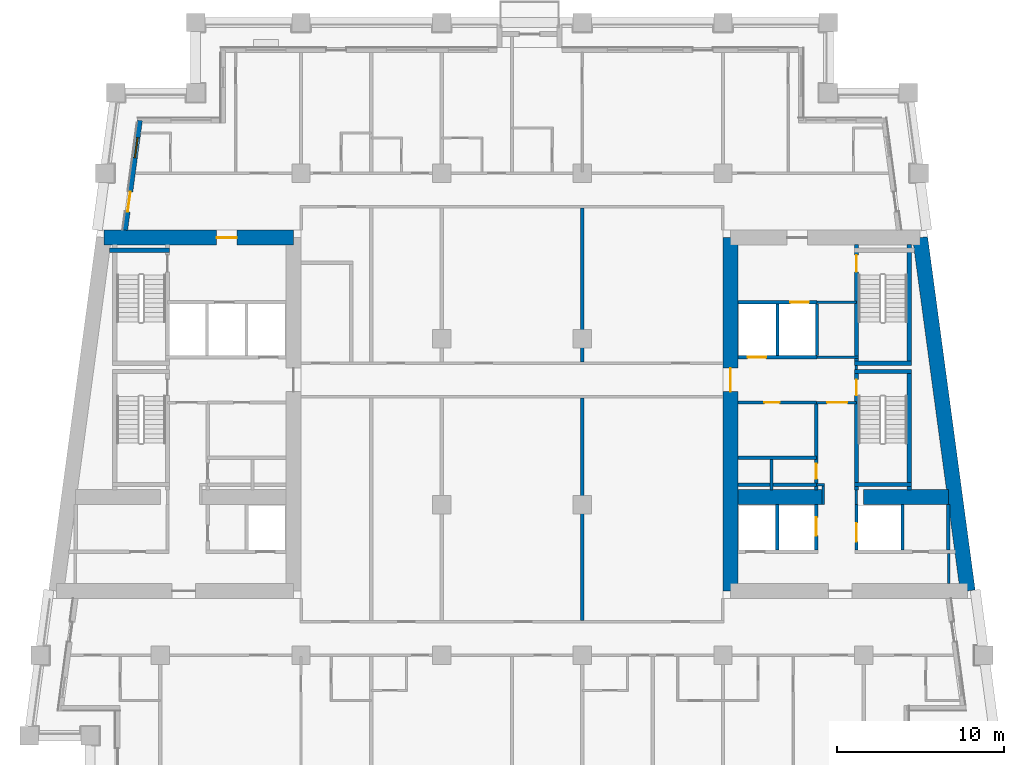
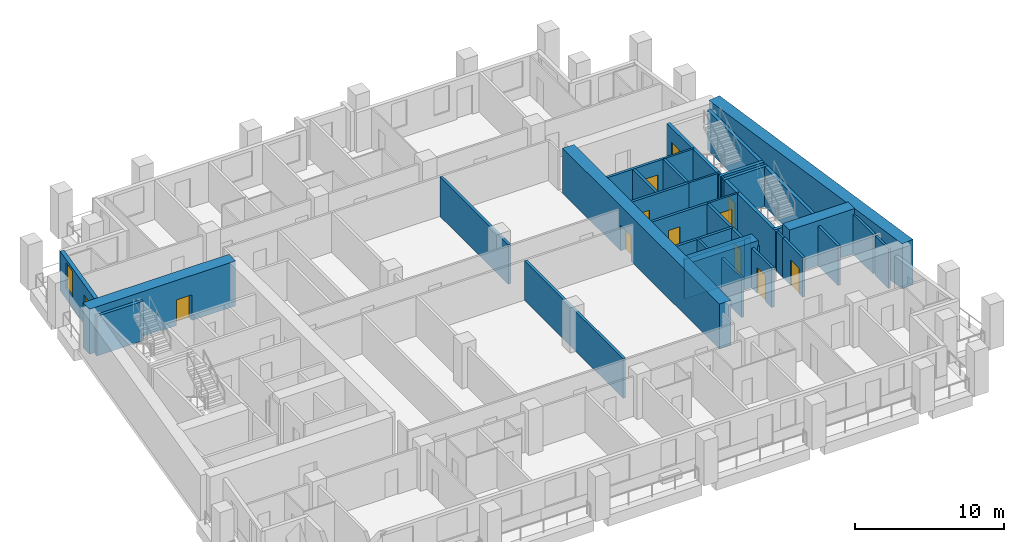
# One storey, part 5 of 13: 38 walls, 12 doors, 1 window, 13 openings.
"""IFC4 building model written with IfcOpenShell, lengths in metres."""

from ifc_helpers import new_model, si_unit, direction, frame, frame_2d, origin, place, context, subcontext, project, spatial, rectangle, extrude, material, layer, layer_set, type_object, element, fill, save


model = new_model("IFC4")

# Units and contexts
model_context = context("Model", 3, precision=1e-05, world=origin(), true_north=direction((0.0, 1.0)))
body_context = subcontext(model_context, "Body", "Model", "MODEL_VIEW")
ifc_project = project(units=[si_unit("LENGTHUNIT", "METRE"), si_unit("AREAUNIT", "SQUARE_METRE"), si_unit("VOLUMEUNIT", "CUBIC_METRE"), si_unit("PLANEANGLEUNIT", "RADIAN"), si_unit("MASSUNIT", "GRAM", prefix="KILO")], contexts=[model_context])

# Site, building, storey
site_placement = place(None, origin())
site = spatial("IfcSite", under=ifc_project, at=site_placement, CompositionType="ELEMENT")
building_placement = place(site_placement, origin())
building = spatial("IfcBuilding", under=site, at=building_placement, Name="Candeia Pilgrim Tower and Theatre", CompositionType="ELEMENT")
storey_placement = place(building_placement, frame((0.0, 0.0, 188.5)))
storey = spatial("IfcBuildingStorey", under=building, at=storey_placement, Name="L45", CompositionType="ELEMENT", Elevation=188.5)

# Wall, opening, door
ifc_material_1 = material(Name="Concrete C60/75", Category="concrete")
ifc_layer_1 = layer(ifc_material_1, 0.89990234375)
ifc_layer_set_1 = layer_set([ifc_layer_1], Name="Core wall 900 C60/75")
wall_type_1 = type_object("IfcWallType", Name="Core wall 900 C60/75", PredefinedType="SHEAR", material=ifc_layer_set_1)
wall_1_placement = place(storey_placement, frame((89.024169921875, 131.949951171875, 0.0), z_axis=(0.0, 0.0, 1.0), x_axis=(1.0, 0.0, 0.0)))
wall_1 = element("IfcWall", 1, at=wall_1_placement, inside=storey, type_object=wall_type_1, Name="Core wall W1", PredefinedType="SHEAR", context=body_context, shape_type="SweptSolid", body=[
    extrude(rectangle(XDim=11.325927734375, YDim=0.89990234375, at=frame_2d((5.6630859375, 0.0))), origin(), (0.0, 0.0, 1.0), 3.699951171875),
])
opening_1_placement = place(wall_1_placement, frame((6.7392578125, 0.0, 0.0)))
opening_1 = element("IfcOpeningElement", 2, at=opening_1_placement, cuts=wall_1, Name="Opening L45-D056", PredefinedType="OPENING", context=body_context, shape_type="SweptSolid", body=[
    extrude(rectangle(XDim=1.199951171875, YDim=2.10009765625, at=frame_2d((0.60009765625, 1.050048828125))), frame((0.0, 0.4599609375, 0.0), z_axis=(0.0, -1.0, 0.0), x_axis=(1.0, 0.0, 0.0)), (0.0, 0.0, 1.0), 0.919921875),
])
ifc_material_2 = material(Name="Steel fire door set", Category="steel")
door_type_1 = type_object("IfcDoorType", Name="D-1200-FD60", OperationType="NOTDEFINED", PredefinedType="DOOR", material=ifc_material_2)
door_1_placement = place(opening_1_placement, origin())
door_1 = element("IfcDoor", 3, at=door_1_placement, inside=storey, type_object=door_type_1, Name="Door L45-D056", OperationType="SINGLE_SWING_LEFT", OverallHeight=2.10009765625, OverallWidth=1.199951171875, PredefinedType="DOOR", context=body_context, shape_type="SweptSolid", body=[
    extrude(rectangle(XDim=1.199951171875, YDim=2.10009765625, at=frame_2d((0.60009765625, 1.050048828125))), frame((0.0, 0.02490234375, 0.0), z_axis=(0.0, -1.0, 0.0), x_axis=(1.0, 0.0, 0.0)), (0.0, 0.0, 1.0), 0.050048828125),
])
fill(opening_1, door_1)

# Wall
wall_2_placement = place(storey_placement, frame((137.775634765625, 131.949951171875, 0.0), z_axis=(0.0, 0.0, 1.0), x_axis=(0.133421759112, -0.991059349482, 0.0)))
element("IfcWall", 4, at=wall_2_placement, inside=storey, type_object=wall_type_1, Name="Core wall E2", PredefinedType="SHEAR", context=body_context, shape_type="SweptSolid", body=[
    extrude(rectangle(XDim=21.290283203125, YDim=0.89990234375, at=frame_2d((10.64501953125, 0.0))), origin(), (0.0, 0.0, 1.0), 3.699951171875),
])

# Wall, opening, door
wall_3_placement = place(storey_placement, frame((126.449951171875, 110.85009765625, 0.0), z_axis=(0.0, 0.0, 1.0), x_axis=(0.0, 1.0, 0.0)))
wall_3 = element("IfcWall", 5, at=wall_3_placement, inside=storey, type_object=wall_type_1, Name="Core wall E4", PredefinedType="SHEAR", context=body_context, shape_type="SweptSolid", body=[
    extrude(rectangle(XDim=21.099853515625, YDim=0.89990234375, at=frame_2d((10.5498046875, 0.0))), origin(), (0.0, 0.0, 1.0), 3.699951171875),
])
opening_2_placement = place(wall_3_placement, frame((11.89990234375, 0.0, 0.0)))
opening_2 = element("IfcOpeningElement", 6, at=opening_2_placement, cuts=wall_3, Name="Opening L45-D060", PredefinedType="OPENING", context=body_context, shape_type="SweptSolid", body=[
    extrude(rectangle(XDim=1.39990234375, YDim=2.10009765625, at=frame_2d((0.699951171875, 1.050048828125))), frame((0.0, 0.4599609375, 0.0), z_axis=(0.0, -1.0, 0.0), x_axis=(1.0, 0.0, 0.0)), (0.0, 0.0, 1.0), 0.919921875),
])
door_type_2 = type_object("IfcDoorType", Name="D-1400-FD60", OperationType="NOTDEFINED", PredefinedType="DOOR", material=ifc_material_2)
door_2_placement = place(opening_2_placement, origin())
door_2 = element("IfcDoor", 7, at=door_2_placement, inside=storey, type_object=door_type_2, Name="Door L45-D060", OperationType="SINGLE_SWING_LEFT", OverallHeight=2.10009765625, OverallWidth=1.39990234375, PredefinedType="DOOR", context=body_context, shape_type="SweptSolid", body=[
    extrude(rectangle(XDim=1.39990234375, YDim=2.10009765625, at=frame_2d((0.699951171875, 1.050048828125))), frame((0.0, 0.02490234375, 0.0), z_axis=(0.0, -1.0, 0.0), x_axis=(1.0, 0.0, 0.0)), (0.0, 0.0, 1.0), 0.050048828125),
])
fill(opening_2, door_2)

# Walls
wall_4_placement = place(storey_placement, frame((126.89990234375, 116.449951171875, 0.0), z_axis=(0.0, 0.0, 1.0), x_axis=(1.0, 0.0, 0.0)))
element("IfcWall", 8, at=wall_4_placement, inside=storey, type_object=wall_type_1, Name="Core wall E5", PredefinedType="SHEAR", context=body_context, shape_type="SweptSolid", body=[
    extrude(rectangle(XDim=5.10009765625, YDim=0.89990234375, at=frame_2d((2.550048828125, 0.0))), origin(), (0.0, 0.0, 1.0), 3.699951171875),
])
wall_5_placement = place(storey_placement, frame((134.39990234375, 116.449951171875, 0.0), z_axis=(0.0, 0.0, 1.0), x_axis=(1.0, 0.0, 0.0)))
element("IfcWall", 9, at=wall_5_placement, inside=storey, type_object=wall_type_1, Name="Core wall E6", PredefinedType="SHEAR", context=body_context, shape_type="SweptSolid", body=[
    extrude(rectangle(XDim=5.076904296875, YDim=0.89990234375, at=frame_2d((2.53857421875, 0.0))), origin(), (0.0, 0.0, 1.0), 3.699951171875),
])

# Wall, openings, door, window
ifc_material_3 = material(Name="Ceramic block masonry", Category="masonry")
ifc_layer_2 = layer(ifc_material_3, 0.300048828125)
ifc_layer_set_2 = layer_set([ifc_layer_2], Name="EW1 glazing-line wall 300")
wall_type_2 = type_object("IfcWallType", Name="EW1 glazing-line wall 300", PredefinedType="SOLIDWALL", material=ifc_layer_set_2)
wall_6_placement = place(storey_placement, frame((91.177490234375, 138.949951171875, 0.0), z_axis=(0.0, 0.0, 1.0), x_axis=(-0.133426664613, -0.991058689065, 0.0)))
wall_6 = element("IfcWall", 10, at=wall_6_placement, inside=storey, type_object=wall_type_2, Name="External wall L45-9.0", PredefinedType="SOLIDWALL", context=body_context, shape_type="SweptSolid", body=[
    extrude(rectangle(XDim=6.609130859375, YDim=0.300048828125, at=frame_2d((3.3046875, 0.0))), origin(), (0.0, 0.0, 1.0), 3.25),
])
opening_3_placement = place(wall_6_placement, frame((1.039306640625, 0.0, 0.89990234375)))
opening_3 = element("IfcOpeningElement", 11, at=opening_3_placement, cuts=wall_6, Name="Opening W-B", PredefinedType="OPENING", context=body_context, shape_type="SweptSolid", body=[
    extrude(rectangle(XDim=1.199951171875, YDim=2.10009765625, at=frame_2d((0.60009765625, 1.050048828125))), frame((0.0, 0.16015625, 0.0), z_axis=(0.0, -1.0, 0.0), x_axis=(1.0, 0.0, 0.0)), (0.0, 0.0, 1.0), 0.320068359375),
])
opening_4_placement = place(wall_6_placement, frame((4.293701171875, 0.0, 0.0)))
opening_4 = element("IfcOpeningElement", 12, at=opening_4_placement, cuts=wall_6, Name="Opening L45-ED437", PredefinedType="OPENING", context=body_context, shape_type="SweptSolid", body=[
    extrude(rectangle(XDim=1.199951171875, YDim=2.39990234375, at=frame_2d((0.60009765625, 1.199951171875))), frame((0.0, 0.16015625, 0.0), z_axis=(0.0, -1.0, 0.0), x_axis=(1.0, 0.0, 0.0)), (0.0, 0.0, 1.0), 0.320068359375),
])
ifc_material_4 = material(Name="Aluminium framed glazed door", Category="aluminium")
door_type_3 = type_object("IfcDoorType", Name="Loggia door 1200x2400", OperationType="DOUBLE_DOOR_SINGLE_SWING", PredefinedType="DOOR", material=ifc_material_4)
door_3_placement = place(opening_4_placement, origin())
door_3 = element("IfcDoor", 13, at=door_3_placement, inside=storey, type_object=door_type_3, Name="Loggia door L45-ED437", OperationType="DOUBLE_DOOR_SINGLE_SWING", OverallHeight=2.39990234375, OverallWidth=1.199951171875, PredefinedType="DOOR", context=body_context, shape_type="SweptSolid", body=[
    extrude(rectangle(XDim=1.199951171875, YDim=2.39990234375, at=frame_2d((0.60009765625, 1.199951171875))), frame((0.0, 0.02490234375, 0.0), z_axis=(0.0, -1.0, 0.0), x_axis=(1.0, 0.0, 0.0)), (0.0, 0.0, 1.0), 0.050048828125),
])
fill(opening_4, door_3)
ifc_material_5 = material(Name="Aluminium framed double glazing", Category="aluminium")
window_type = type_object("IfcWindowType", Name="W-B window 1200x2100", PartitioningType="SINGLE_PANEL", PredefinedType="WINDOW", material=ifc_material_5)
window_placement = place(opening_3_placement, origin())
window = element("IfcWindow", 14, at=window_placement, inside=storey, type_object=window_type, Name="Window W-B L45", OverallHeight=2.10009765625, OverallWidth=1.199951171875, PartitioningType="SINGLE_PANEL", PredefinedType="WINDOW", context=body_context, shape_type="SweptSolid", body=[
    extrude(rectangle(XDim=1.199951171875, YDim=2.10009765625, at=frame_2d((0.60009765625, 1.050048828125))), frame((0.0, 0.030029296875, 0.0), z_axis=(0.0, -1.0, 0.0), x_axis=(1.0, 0.0, 0.0)), (0.0, 0.0, 1.0), 0.06005859375),
])
fill(opening_3, window)

# Wall
ifc_material_6 = material(Name="Gypsum board partition on steel studs", Category="steel")
ifc_layer_3 = layer(ifc_material_6, 0.14990234375)
ifc_layer_set_3 = layer_set([ifc_layer_3], Name="PW-150 lobby wall")
wall_type_3 = type_object("IfcWallType", Name="PW-150 lobby wall", PredefinedType="PARTITIONING", material=ifc_layer_set_3)
wall_7_placement = place(storey_placement, frame((131.572998046875, 117.199951171875, 0.0), z_axis=(0.0, 0.0, 1.0), x_axis=(1.0, 0.0, 0.0)))
element("IfcWall", 15, at=wall_7_placement, inside=storey, type_object=wall_type_3, Name="Lobby wall L45-016", PredefinedType="PARTITIONING", context=body_context, shape_type="SweptSolid", body=[
    extrude(rectangle(XDim=0.501953125, YDim=0.14990234375, at=frame_2d((0.2509765625, 0.0))), origin(), (0.0, 0.0, 1.0), 3.25),
])

# Wall, opening, door
wall_8_placement = place(storey_placement, frame((131.572998046875, 122.10009765625, 0.0), z_axis=(0.0, 0.0, 1.0), x_axis=(1.0, 0.0, 0.0)))
wall_8 = element("IfcWall", 16, at=wall_8_placement, inside=storey, type_object=wall_type_3, Name="Lobby wall L45-024", PredefinedType="PARTITIONING", context=body_context, shape_type="SweptSolid", body=[
    extrude(rectangle(XDim=2.39990234375, YDim=0.14990234375, at=frame_2d((1.199951171875, 0.0))), origin(), (0.0, 0.0, 1.0), 3.25),
])
opening_5_placement = place(wall_8_placement, frame((0.64990234375, 0.0, 0.0)))
opening_5 = element("IfcOpeningElement", 17, at=opening_5_placement, cuts=wall_8, Name="Opening L45-D008", PredefinedType="OPENING", context=body_context, shape_type="SweptSolid", body=[
    extrude(rectangle(XDim=1.199951171875, YDim=2.10009765625, at=frame_2d((0.60009765625, 1.050048828125))), frame((0.0, 0.0849609375, 0.0), z_axis=(0.0, -1.0, 0.0), x_axis=(1.0, 0.0, 0.0)), (0.0, 0.0, 1.0), 0.169921875),
])
door_4_placement = place(opening_5_placement, origin())
door_4 = element("IfcDoor", 18, at=door_4_placement, inside=storey, type_object=door_type_1, Name="Door L45-D008", OperationType="SINGLE_SWING_RIGHT", OverallHeight=2.10009765625, OverallWidth=1.199951171875, PredefinedType="DOOR", context=body_context, shape_type="SweptSolid", body=[
    extrude(rectangle(XDim=1.199951171875, YDim=2.10009765625, at=frame_2d((0.60009765625, 1.050048828125))), frame((0.0, 0.02490234375, 0.0), z_axis=(0.0, -1.0, 0.0), x_axis=(1.0, 0.0, 0.0)), (0.0, 0.0, 1.0), 0.050048828125),
])
fill(opening_5, door_4)

# Walls
wall_9_placement = place(storey_placement, frame((131.615234375, 124.800048828125, 0.0), z_axis=(0.0, 0.0, 1.0), x_axis=(1.0, 0.0, 0.0)))
element("IfcWall", 19, at=wall_9_placement, inside=storey, type_object=wall_type_3, Name="Lobby wall L45-033", PredefinedType="PARTITIONING", context=body_context, shape_type="SweptSolid", body=[
    extrude(rectangle(XDim=2.482666015625, YDim=0.14990234375, at=frame_2d((1.2412109375, 0.0))), origin(), (0.0, 0.0, 1.0), 3.25),
])
wall_10_placement = place(storey_placement, frame((131.615234375, 128.10009765625, 0.0), z_axis=(0.0, 0.0, 1.0), x_axis=(1.0, 0.0, 0.0)))
element("IfcWall", 20, at=wall_10_placement, inside=storey, type_object=wall_type_3, Name="Lobby wall L45-036", PredefinedType="PARTITIONING", context=body_context, shape_type="SweptSolid", body=[
    extrude(rectangle(XDim=2.357666015625, YDim=0.14990234375, at=frame_2d((1.1787109375, 0.0))), origin(), (0.0, 0.0, 1.0), 3.25),
])
wall_11_placement = place(storey_placement, frame((132.0, 116.0, 0.0), z_axis=(0.0, 0.0, 1.0), x_axis=(0.0, 1.0, 0.0)))
element("IfcWall", 21, at=wall_11_placement, inside=storey, type_object=wall_type_3, Name="Lobby wall L45-108", PredefinedType="PARTITIONING", context=body_context, shape_type="SweptSolid", body=[
    extrude(rectangle(XDim=1.125, YDim=0.14990234375, at=frame_2d((0.5625, 0.0))), origin(), (0.0, 0.0, 1.0), 3.25),
])
wall_12_placement = place(storey_placement, frame((133.972900390625, 116.0, 0.0), z_axis=(0.0, 0.0, 1.0), x_axis=(0.0, 1.0, 0.0)))
element("IfcWall", 22, at=wall_12_placement, inside=storey, type_object=wall_type_3, Name="Lobby wall L45-111", PredefinedType="PARTITIONING", context=body_context, shape_type="SweptSolid", body=[
    extrude(rectangle(XDim=0.8701171875, YDim=0.14990234375, at=frame_2d((0.43505859375, 0.0))), origin(), (0.0, 0.0, 1.0), 3.25),
])
wall_13_placement = place(storey_placement, frame((133.972900390625, 124.074951171875, 0.0), z_axis=(0.0, 0.0, 1.0), x_axis=(0.0, 1.0, 0.0)))
element("IfcWall", 23, at=wall_13_placement, inside=storey, type_object=wall_type_3, Name="Lobby wall L45-112", PredefinedType="PARTITIONING", context=body_context, shape_type="SweptSolid", body=[
    extrude(rectangle(XDim=0.25, YDim=0.14990234375, at=frame_2d((0.125, 0.0))), origin(), (0.0, 0.0, 1.0), 3.25),
])
wall_14_placement = place(storey_placement, frame((139.471923828125, 111.300048828125, 0.0), z_axis=(0.0, 0.0, 1.0), x_axis=(0.0, 1.0, 0.0)))
element("IfcWall", 24, at=wall_14_placement, inside=storey, type_object=wall_type_3, Name="Lobby wall L45-121", PredefinedType="PARTITIONING", context=body_context, shape_type="SweptSolid", body=[
    extrude(rectangle(XDim=1.800048828125, YDim=0.14990234375, at=frame_2d((0.89990234375, 0.0))), origin(), (0.0, 0.0, 1.0), 3.25),
])
ifc_layer_4 = layer(ifc_material_6, 0.199951171875)
ifc_layer_set_4 = layer_set([ifc_layer_4], Name="PW-200 party wall")
wall_type_4 = type_object("IfcWallType", Name="PW-200 party wall", PredefinedType="PARTITIONING", material=ifc_layer_set_4)
wall_15_placement = place(storey_placement, frame((117.60009765625, 109.074951171875, 0.0), z_axis=(0.0, 0.0, 1.0), x_axis=(0.0, 1.0, 0.0)))
element("IfcWall", 25, at=wall_15_placement, inside=storey, type_object=wall_type_4, Name="Party wall L45-090", PredefinedType="PARTITIONING", context=body_context, shape_type="SweptSolid", body=[
    extrude(rectangle(XDim=13.300048828125, YDim=0.199951171875, at=frame_2d((6.64990234375, 0.0))), origin(), (0.0, 0.0, 1.0), 3.25),
])
wall_16_placement = place(storey_placement, frame((117.60009765625, 124.52490234375, 0.0), z_axis=(0.0, 0.0, 1.0), x_axis=(0.0, 1.0, 0.0)))
element("IfcWall", 26, at=wall_16_placement, inside=storey, type_object=wall_type_4, Name="Party wall L45-091", PredefinedType="PARTITIONING", context=body_context, shape_type="SweptSolid", body=[
    extrude(rectangle(XDim=9.2001953125, YDim=0.199951171875, at=frame_2d((4.60009765625, 0.0))), origin(), (0.0, 0.0, 1.0), 3.25),
])
ifc_material_7 = material(Name="Concrete C40/50", Category="concrete")
ifc_layer_5 = layer(ifc_material_7, 0.199951171875)
ifc_layer_set_5 = layer_set([ifc_layer_5], Name="SW-200 shaft wall")
wall_type_5 = type_object("IfcWallType", Name="SW-200 shaft wall", PredefinedType="PARTITIONING", material=ifc_layer_set_5)
for number, where, z_axis, x_axis, name in (
    (27, (126.89990234375, 117.199951171875, 0.0), (0.0, 0.0, 1.0), (1.0, 0.0, 0.0), "Shaft wall L45-014"),
    (28, (126.89990234375, 118.800048828125, 0.0), (0.0, 0.0, 1.0), (1.0, 0.0, 0.0), "Shaft wall L45-020"),
):
    element("IfcWall", number, at=place(storey_placement, frame(where, z_axis=z_axis, x_axis=x_axis)), inside=storey, type_object=wall_type_5, Name=name, PredefinedType="PARTITIONING", context=body_context, shape_type="SweptSolid", body=[
        extrude(rectangle(XDim=4.673095703125, YDim=0.199951171875, at=frame_2d((2.33642578125, 0.0))), origin(), (0.0, 0.0, 1.0), 3.25),
    ])

# Wall, opening, door
wall_17_placement = place(storey_placement, frame((126.89990234375, 122.10009765625, 0.0), z_axis=(0.0, 0.0, 1.0), x_axis=(1.0, 0.0, 0.0)))
wall_17 = element("IfcWall", 29, at=wall_17_placement, inside=storey, type_object=wall_type_5, Name="Shaft wall L45-022", PredefinedType="PARTITIONING", context=body_context, shape_type="SweptSolid", body=[
    extrude(rectangle(XDim=4.673095703125, YDim=0.199951171875, at=frame_2d((2.33642578125, 0.0))), origin(), (0.0, 0.0, 1.0), 3.25),
])
opening_6_placement = place(wall_17_placement, frame((1.5791015625, 0.0, 0.0)))
opening_6 = element("IfcOpeningElement", 30, at=opening_6_placement, cuts=wall_17, Name="Opening L45-D009", PredefinedType="OPENING", context=body_context, shape_type="SweptSolid", body=[
    extrude(rectangle(XDim=0.89990234375, YDim=2.10009765625, at=frame_2d((0.449951171875, 1.050048828125))), frame((0.0, 0.10986328125, 0.0), z_axis=(0.0, -1.0, 0.0), x_axis=(1.0, 0.0, 0.0)), (0.0, 0.0, 1.0), 0.219970703125),
])
door_type_4 = type_object("IfcDoorType", Name="D-900-FD60", OperationType="NOTDEFINED", PredefinedType="DOOR", material=ifc_material_2)
door_5_placement = place(opening_6_placement, origin())
door_5 = element("IfcDoor", 31, at=door_5_placement, inside=storey, type_object=door_type_4, Name="Door L45-D009", OperationType="SINGLE_SWING_LEFT", OverallHeight=2.10009765625, OverallWidth=0.89990234375, PredefinedType="DOOR", context=body_context, shape_type="SweptSolid", body=[
    extrude(rectangle(XDim=0.89990234375, YDim=2.10009765625, at=frame_2d((0.449951171875, 1.050048828125))), frame((0.0, 0.02490234375, 0.0), z_axis=(0.0, -1.0, 0.0), x_axis=(1.0, 0.0, 0.0)), (0.0, 0.0, 1.0), 0.050048828125),
])
fill(opening_6, door_5)

wall_18_placement = place(storey_placement, frame((126.89990234375, 124.800048828125, 0.0), z_axis=(0.0, 0.0, 1.0), x_axis=(1.0, 0.0, 0.0)))
wall_18 = element("IfcWall", 32, at=wall_18_placement, inside=storey, type_object=wall_type_5, Name="Shaft wall L45-032", PredefinedType="PARTITIONING", context=body_context, shape_type="SweptSolid", body=[
    extrude(rectangle(XDim=4.71533203125, YDim=0.199951171875, at=frame_2d((2.357666015625, 0.0))), origin(), (0.0, 0.0, 1.0), 3.25),
])
opening_7_placement = place(wall_18_placement, frame((0.572998046875, 0.0, 0.0)))
opening_7 = element("IfcOpeningElement", 33, at=opening_7_placement, cuts=wall_18, Name="Opening L45-LD05", PredefinedType="OPENING", context=body_context, shape_type="SweptSolid", body=[
    extrude(rectangle(XDim=1.10009765625, YDim=2.10009765625, at=frame_2d((0.550048828125, 1.050048828125))), frame((0.0, 0.10986328125, 0.0), z_axis=(0.0, -1.0, 0.0), x_axis=(1.0, 0.0, 0.0)), (0.0, 0.0, 1.0), 0.219970703125),
])
ifc_material_8 = material(Name="Glazed aluminium landing door", Category="aluminium")
door_type_5 = type_object("IfcDoorType", Name="LD-1100-EI120", OperationType="SLIDING_TO_LEFT", PredefinedType="DOOR", material=ifc_material_8)
door_6_placement = place(opening_7_placement, origin())
door_6 = element("IfcDoor", 34, at=door_6_placement, inside=storey, type_object=door_type_5, Name="Landing door 05 L45", OperationType="SLIDING_TO_LEFT", OverallHeight=2.10009765625, OverallWidth=1.10009765625, PredefinedType="DOOR", context=body_context, shape_type="SweptSolid", body=[
    extrude(rectangle(XDim=1.10009765625, YDim=2.10009765625, at=frame_2d((0.550048828125, 1.050048828125))), frame((0.0, 0.02490234375, 0.0), z_axis=(0.0, -1.0, 0.0), x_axis=(1.0, 0.0, 0.0)), (0.0, 0.0, 1.0), 0.050048828125),
])
fill(opening_7, door_6)

wall_19_placement = place(storey_placement, frame((126.89990234375, 128.10009765625, 0.0), z_axis=(0.0, 0.0, 1.0), x_axis=(1.0, 0.0, 0.0)))
wall_19 = element("IfcWall", 35, at=wall_19_placement, inside=storey, type_object=wall_type_5, Name="Shaft wall L45-035", PredefinedType="PARTITIONING", context=body_context, shape_type="SweptSolid", body=[
    extrude(rectangle(XDim=4.71533203125, YDim=0.199951171875, at=frame_2d((2.357666015625, 0.0))), origin(), (0.0, 0.0, 1.0), 3.25),
])
opening_8_placement = place(wall_19_placement, frame((3.1259765625, 0.0, 0.0)))
opening_8 = element("IfcOpeningElement", 36, at=opening_8_placement, cuts=wall_19, Name="Opening L45-LD04", PredefinedType="OPENING", context=body_context, shape_type="SweptSolid", body=[
    extrude(rectangle(XDim=1.10009765625, YDim=2.10009765625, at=frame_2d((0.550048828125, 1.050048828125))), frame((0.0, 0.10986328125, 0.0), z_axis=(0.0, -1.0, 0.0), x_axis=(1.0, 0.0, 0.0)), (0.0, 0.0, 1.0), 0.219970703125),
])
door_7_placement = place(opening_8_placement, origin())
door_7 = element("IfcDoor", 37, at=door_7_placement, inside=storey, type_object=door_type_5, Name="Landing door 04 L45", OperationType="SLIDING_TO_LEFT", OverallHeight=2.10009765625, OverallWidth=1.10009765625, PredefinedType="DOOR", context=body_context, shape_type="SweptSolid", body=[
    extrude(rectangle(XDim=1.10009765625, YDim=2.10009765625, at=frame_2d((0.550048828125, 1.050048828125))), frame((0.0, 0.02490234375, 0.0), z_axis=(0.0, -1.0, 0.0), x_axis=(1.0, 0.0, 0.0)), (0.0, 0.0, 1.0), 0.050048828125),
])
fill(opening_8, door_7)

# Walls
wall_20_placement = place(storey_placement, frame((128.89990234375, 116.8701171875, 0.0), z_axis=(0.0, 0.0, 1.0), x_axis=(0.0, 1.0, 0.0)))
element("IfcWall", 38, at=wall_20_placement, inside=storey, type_object=wall_type_5, Name="Shaft wall L45-100", PredefinedType="PARTITIONING", context=body_context, shape_type="SweptSolid", body=[
    extrude(rectangle(XDim=1.829833984375, YDim=0.199951171875, at=frame_2d((0.9150390625, 0.0))), origin(), (0.0, 0.0, 1.0), 3.25),
])
wall_21_placement = place(storey_placement, frame((129.236572265625, 113.300048828125, 0.0), z_axis=(0.0, 0.0, 1.0), x_axis=(0.0, 1.0, 0.0)))
element("IfcWall", 39, at=wall_21_placement, inside=storey, type_object=wall_type_5, Name="Shaft wall L45-101", PredefinedType="PARTITIONING", context=body_context, shape_type="SweptSolid", body=[
    extrude(rectangle(XDim=2.699951171875, YDim=0.199951171875, at=frame_2d((1.35009765625, 0.0))), origin(), (0.0, 0.0, 1.0), 3.25),
])
wall_22_placement = place(storey_placement, frame((129.2578125, 124.89990234375, 0.0), z_axis=(0.0, 0.0, 1.0), x_axis=(0.0, 1.0, 0.0)))
element("IfcWall", 40, at=wall_22_placement, inside=storey, type_object=wall_type_5, Name="Shaft wall L45-102", PredefinedType="PARTITIONING", context=body_context, shape_type="SweptSolid", body=[
    extrude(rectangle(XDim=3.10009765625, YDim=0.199951171875, at=frame_2d((1.550048828125, 0.0))), origin(), (0.0, 0.0, 1.0), 3.25),
])

# Wall, opening, door
wall_23_placement = place(storey_placement, frame((131.572998046875, 113.300048828125, 0.0), z_axis=(0.0, 0.0, 1.0), x_axis=(0.0, 1.0, 0.0)))
wall_23 = element("IfcWall", 41, at=wall_23_placement, inside=storey, type_object=wall_type_5, Name="Shaft wall L45-105", PredefinedType="PARTITIONING", context=body_context, shape_type="SweptSolid", body=[
    extrude(rectangle(XDim=2.699951171875, YDim=0.199951171875, at=frame_2d((1.35009765625, 0.0))), origin(), (0.0, 0.0, 1.0), 3.25),
])
opening_9_placement = place(wall_23_placement, frame((0.85009765625, 0.0, 0.0)))
opening_9 = element("IfcOpeningElement", 42, at=opening_9_placement, cuts=wall_23, Name="Opening L45-LD07", PredefinedType="OPENING", context=body_context, shape_type="SweptSolid", body=[
    extrude(rectangle(XDim=1.10009765625, YDim=2.10009765625, at=frame_2d((0.550048828125, 1.050048828125))), frame((0.0, 0.10986328125, 0.0), z_axis=(0.0, -1.0, 0.0), x_axis=(1.0, 0.0, 0.0)), (0.0, 0.0, 1.0), 0.219970703125),
])
door_8_placement = place(opening_9_placement, origin())
door_8 = element("IfcDoor", 43, at=door_8_placement, inside=storey, type_object=door_type_5, Name="Landing door 07 L45", OperationType="SLIDING_TO_LEFT", OverallHeight=2.10009765625, OverallWidth=1.10009765625, PredefinedType="DOOR", context=body_context, shape_type="SweptSolid", body=[
    extrude(rectangle(XDim=1.10009765625, YDim=2.10009765625, at=frame_2d((0.550048828125, 1.050048828125))), frame((0.0, 0.02490234375, 0.0), z_axis=(0.0, -1.0, 0.0), x_axis=(1.0, 0.0, 0.0)), (0.0, 0.0, 1.0), 0.050048828125),
])
fill(opening_9, door_8)

wall_24_placement = place(storey_placement, frame((131.572998046875, 116.8701171875, 0.0), z_axis=(0.0, 0.0, 1.0), x_axis=(0.0, 1.0, 0.0)))
wall_24 = element("IfcWall", 44, at=wall_24_placement, inside=storey, type_object=wall_type_5, Name="Shaft wall L45-106", PredefinedType="PARTITIONING", context=body_context, shape_type="SweptSolid", body=[
    extrude(rectangle(XDim=5.1298828125, YDim=0.199951171875, at=frame_2d((2.56494140625, 0.0))), origin(), (0.0, 0.0, 1.0), 3.25),
])
opening_10_placement = place(wall_24_placement, frame((0.679931640625, 0.0, 0.0)))
opening_10 = element("IfcOpeningElement", 45, at=opening_10_placement, cuts=wall_24, Name="Opening L45-D012", PredefinedType="OPENING", context=body_context, shape_type="SweptSolid", body=[
    extrude(rectangle(XDim=0.89990234375, YDim=2.10009765625, at=frame_2d((0.449951171875, 1.050048828125))), frame((0.0, 0.10986328125, 0.0), z_axis=(0.0, -1.0, 0.0), x_axis=(1.0, 0.0, 0.0)), (0.0, 0.0, 1.0), 0.219970703125),
])
door_9_placement = place(opening_10_placement, origin())
door_9 = element("IfcDoor", 46, at=door_9_placement, inside=storey, type_object=door_type_4, Name="Door L45-D012", OperationType="SINGLE_SWING_RIGHT", OverallHeight=2.10009765625, OverallWidth=0.89990234375, PredefinedType="DOOR", context=body_context, shape_type="SweptSolid", body=[
    extrude(rectangle(XDim=0.89990234375, YDim=2.10009765625, at=frame_2d((0.449951171875, 1.050048828125))), frame((0.0, 0.02490234375, 0.0), z_axis=(0.0, -1.0, 0.0), x_axis=(1.0, 0.0, 0.0)), (0.0, 0.0, 1.0), 0.050048828125),
])
fill(opening_10, door_9)

# Wall
wall_25_placement = place(storey_placement, frame((131.615234375, 124.89990234375, 0.0), z_axis=(0.0, 0.0, 1.0), x_axis=(0.0, 1.0, 0.0)))
element("IfcWall", 47, at=wall_25_placement, inside=storey, type_object=wall_type_5, Name="Shaft wall L45-107", PredefinedType="PARTITIONING", context=body_context, shape_type="SweptSolid", body=[
    extrude(rectangle(XDim=3.10009765625, YDim=0.199951171875, at=frame_2d((1.550048828125, 0.0))), origin(), (0.0, 0.0, 1.0), 3.25),
])

# Wall, opening, door
wall_26_placement = place(storey_placement, frame((133.972900390625, 113.300048828125, 0.0), z_axis=(0.0, 0.0, 1.0), x_axis=(0.0, 1.0, 0.0)))
wall_26 = element("IfcWall", 48, at=wall_26_placement, inside=storey, type_object=wall_type_5, Name="Shaft wall L45-110", PredefinedType="PARTITIONING", context=body_context, shape_type="SweptSolid", body=[
    extrude(rectangle(XDim=2.699951171875, YDim=0.199951171875, at=frame_2d((1.35009765625, 0.0))), origin(), (0.0, 0.0, 1.0), 3.25),
])
opening_11_placement = place(wall_26_placement, frame((0.5, 0.0, 0.0)))
opening_11 = element("IfcOpeningElement", 49, at=opening_11_placement, cuts=wall_26, Name="Opening L45-LD06", PredefinedType="OPENING", context=body_context, shape_type="SweptSolid", body=[
    extrude(rectangle(XDim=1.10009765625, YDim=2.10009765625, at=frame_2d((0.550048828125, 1.050048828125))), frame((0.0, 0.10986328125, 0.0), z_axis=(0.0, -1.0, 0.0), x_axis=(1.0, 0.0, 0.0)), (0.0, 0.0, 1.0), 0.219970703125),
])
door_10_placement = place(opening_11_placement, origin())
door_10 = element("IfcDoor", 50, at=door_10_placement, inside=storey, type_object=door_type_5, Name="Landing door 06 L45", OperationType="SLIDING_TO_LEFT", OverallHeight=2.10009765625, OverallWidth=1.10009765625, PredefinedType="DOOR", context=body_context, shape_type="SweptSolid", body=[
    extrude(rectangle(XDim=1.10009765625, YDim=2.10009765625, at=frame_2d((0.550048828125, 1.050048828125))), frame((0.0, 0.02490234375, 0.0), z_axis=(0.0, -1.0, 0.0), x_axis=(1.0, 0.0, 0.0)), (0.0, 0.0, 1.0), 0.050048828125),
])
fill(opening_11, door_10)

# Walls
for number, where, z_axis, x_axis, name in (
    (51, (136.722412109375, 113.300048828125, 0.0), (0.0, 0.0, 1.0), (0.0, 1.0, 0.0), "Shaft wall L45-116"),
    (52, (139.44970703125, 113.300048828125, 0.0), (0.0, 0.0, 1.0), (0.0, 1.0, 0.0), "Shaft wall L45-120"),
):
    element("IfcWall", number, at=place(storey_placement, frame(where, z_axis=z_axis, x_axis=x_axis)), inside=storey, type_object=wall_type_5, Name=name, PredefinedType="PARTITIONING", context=body_context, shape_type="SweptSolid", body=[
        extrude(rectangle(XDim=2.699951171875, YDim=0.199951171875, at=frame_2d((1.35009765625, 0.0))), origin(), (0.0, 0.0, 1.0), 3.25),
    ])
ifc_layer_6 = layer(ifc_material_7, 0.25)
ifc_layer_set_6 = layer_set([ifc_layer_6], Name="SW-250 stair wall")
wall_type_6 = type_object("IfcWallType", Name="SW-250 stair wall", PredefinedType="PARTITIONING", material=ifc_layer_set_6)
for number, where, z_axis, x_axis, name in (
    (53, (133.847900390625, 117.199951171875, 0.0), (0.0, 0.0, 1.0), (1.0, 0.0, 0.0), "Stair wall L45-018"),
    (54, (133.847900390625, 123.949951171875, 0.0), (0.0, 0.0, 1.0), (1.0, 0.0, 0.0), "Stair wall L45-027"),
    (55, (133.847900390625, 124.449951171875, 0.0), (0.0, 0.0, 1.0), (1.0, 0.0, 0.0), "Stair wall L45-029"),
):
    element("IfcWall", number, at=place(storey_placement, frame(where, z_axis=z_axis, x_axis=x_axis)), inside=storey, type_object=wall_type_6, Name=name, PredefinedType="PARTITIONING", context=body_context, shape_type="SweptSolid", body=[
        extrude(rectangle(XDim=3.400146484375, YDim=0.25, at=frame_2d((1.7001953125, 0.0))), origin(), (0.0, 0.0, 1.0), 3.25),
    ])
wall_27_placement = place(storey_placement, frame((89.347412109375, 131.199951171875, 0.0), z_axis=(0.0, 0.0, 1.0), x_axis=(1.0, 0.0, 0.0)))
element("IfcWall", 56, at=wall_27_placement, inside=storey, type_object=wall_type_6, Name="Stair wall L45-038", PredefinedType="PARTITIONING", context=body_context, shape_type="SweptSolid", body=[
    extrude(rectangle(XDim=3.6044921875, YDim=0.25, at=frame_2d((1.80224609375, 0.0))), origin(), (0.0, 0.0, 1.0), 3.25),
])

# Wall, opening, door
wall_28_placement = place(storey_placement, frame((133.972900390625, 116.8701171875, 0.0), z_axis=(0.0, 0.0, 1.0), x_axis=(0.0, 1.0, 0.0)))
wall_28 = element("IfcWall", 57, at=wall_28_placement, inside=storey, type_object=wall_type_6, Name="Stair wall L45-113", PredefinedType="PARTITIONING", context=body_context, shape_type="SweptSolid", body=[
    extrude(rectangle(XDim=6.954833984375, YDim=0.25, at=frame_2d((3.4775390625, 0.0))), origin(), (0.0, 0.0, 1.0), 3.25),
])
opening_12_placement = place(wall_28_placement, frame((5.655029296875, 0.0, 0.0)))
opening_12 = element("IfcOpeningElement", 58, at=opening_12_placement, cuts=wall_28, Name="Opening L45-D010", PredefinedType="OPENING", context=body_context, shape_type="SweptSolid", body=[
    extrude(rectangle(XDim=0.949951171875, YDim=2.10009765625, at=frame_2d((0.47509765625, 1.050048828125))), frame((0.0, 0.135009765625, 0.0), z_axis=(0.0, -1.0, 0.0), x_axis=(1.0, 0.0, 0.0)), (0.0, 0.0, 1.0), 0.27001953125),
])
door_type_6 = type_object("IfcDoorType", Name="D-950-FD60", OperationType="NOTDEFINED", PredefinedType="DOOR", material=ifc_material_2)
door_11_placement = place(opening_12_placement, origin())
door_11 = element("IfcDoor", 59, at=door_11_placement, inside=storey, type_object=door_type_6, Name="Door L45-D010", OperationType="SINGLE_SWING_RIGHT", OverallHeight=2.10009765625, OverallWidth=0.949951171875, PredefinedType="DOOR", context=body_context, shape_type="SweptSolid", body=[
    extrude(rectangle(XDim=0.949951171875, YDim=2.10009765625, at=frame_2d((0.47509765625, 1.050048828125))), frame((0.0, 0.02490234375, 0.0), z_axis=(0.0, -1.0, 0.0), x_axis=(1.0, 0.0, 0.0)), (0.0, 0.0, 1.0), 0.050048828125),
])
fill(opening_12, door_11)

wall_29_placement = place(storey_placement, frame((133.972900390625, 124.574951171875, 0.0), z_axis=(0.0, 0.0, 1.0), x_axis=(0.0, 1.0, 0.0)))
wall_29 = element("IfcWall", 60, at=wall_29_placement, inside=storey, type_object=wall_type_6, Name="Stair wall L45-114", PredefinedType="PARTITIONING", context=body_context, shape_type="SweptSolid", body=[
    extrude(rectangle(XDim=6.955078125, YDim=0.25, at=frame_2d((3.4775390625, 0.0))), origin(), (0.0, 0.0, 1.0), 3.25),
])
opening_13_placement = place(wall_29_placement, frame((5.324951171875, 0.0, 0.0)))
opening_13 = element("IfcOpeningElement", 61, at=opening_13_placement, cuts=wall_29, Name="Opening L45-D011", PredefinedType="OPENING", context=body_context, shape_type="SweptSolid", body=[
    extrude(rectangle(XDim=1.0, YDim=2.10009765625, at=frame_2d((0.5, 1.050048828125))), frame((0.0, 0.135009765625, 0.0), z_axis=(0.0, -1.0, 0.0), x_axis=(1.0, 0.0, 0.0)), (0.0, 0.0, 1.0), 0.27001953125),
])
door_type_7 = type_object("IfcDoorType", Name="D-1000-FD60", OperationType="NOTDEFINED", PredefinedType="DOOR", material=ifc_material_2)
door_12_placement = place(opening_13_placement, origin())
door_12 = element("IfcDoor", 62, at=door_12_placement, inside=storey, type_object=door_type_7, Name="Door L45-D011", OperationType="SINGLE_SWING_LEFT", OverallHeight=2.10009765625, OverallWidth=1.0, PredefinedType="DOOR", context=body_context, shape_type="SweptSolid", body=[
    extrude(rectangle(XDim=1.0, YDim=2.10009765625, at=frame_2d((0.5, 1.050048828125))), frame((0.0, 0.02490234375, 0.0), z_axis=(0.0, -1.0, 0.0), x_axis=(1.0, 0.0, 0.0)), (0.0, 0.0, 1.0), 0.050048828125),
])
fill(opening_13, door_12)

# Walls
wall_30_placement = place(storey_placement, frame((137.123046875, 116.8701171875, 0.0), z_axis=(0.0, 0.0, 1.0), x_axis=(0.0, 1.0, 0.0)))
element("IfcWall", 63, at=wall_30_placement, inside=storey, type_object=wall_type_6, Name="Stair wall L45-117", PredefinedType="PARTITIONING", context=body_context, shape_type="SweptSolid", body=[
    extrude(rectangle(XDim=6.954833984375, YDim=0.25, at=frame_2d((3.4775390625, 0.0))), origin(), (0.0, 0.0, 1.0), 3.25),
])
wall_31_placement = place(storey_placement, frame((137.123046875, 124.574951171875, 0.0), z_axis=(0.0, 0.0, 1.0), x_axis=(0.0, 1.0, 0.0)))
element("IfcWall", 64, at=wall_31_placement, inside=storey, type_object=wall_type_6, Name="Stair wall L45-118", PredefinedType="PARTITIONING", context=body_context, shape_type="SweptSolid", body=[
    extrude(rectangle(XDim=6.955078125, YDim=0.25, at=frame_2d((3.4775390625, 0.0))), origin(), (0.0, 0.0, 1.0), 3.25),
])

save(model, "model.ifc")
